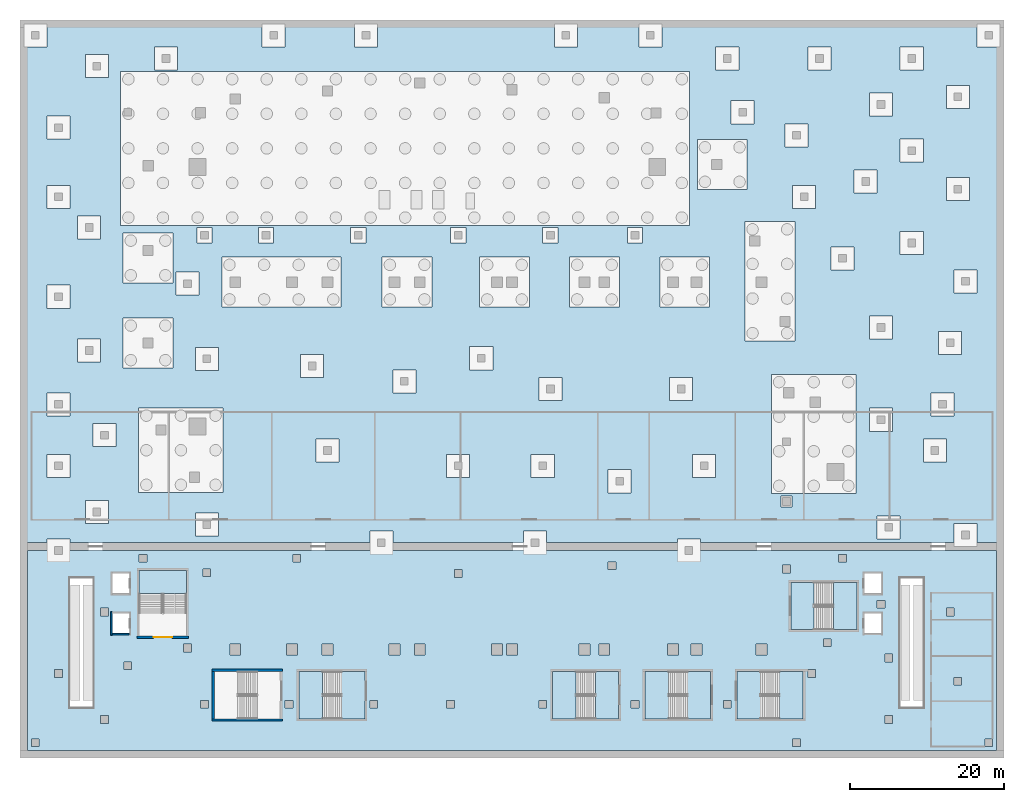
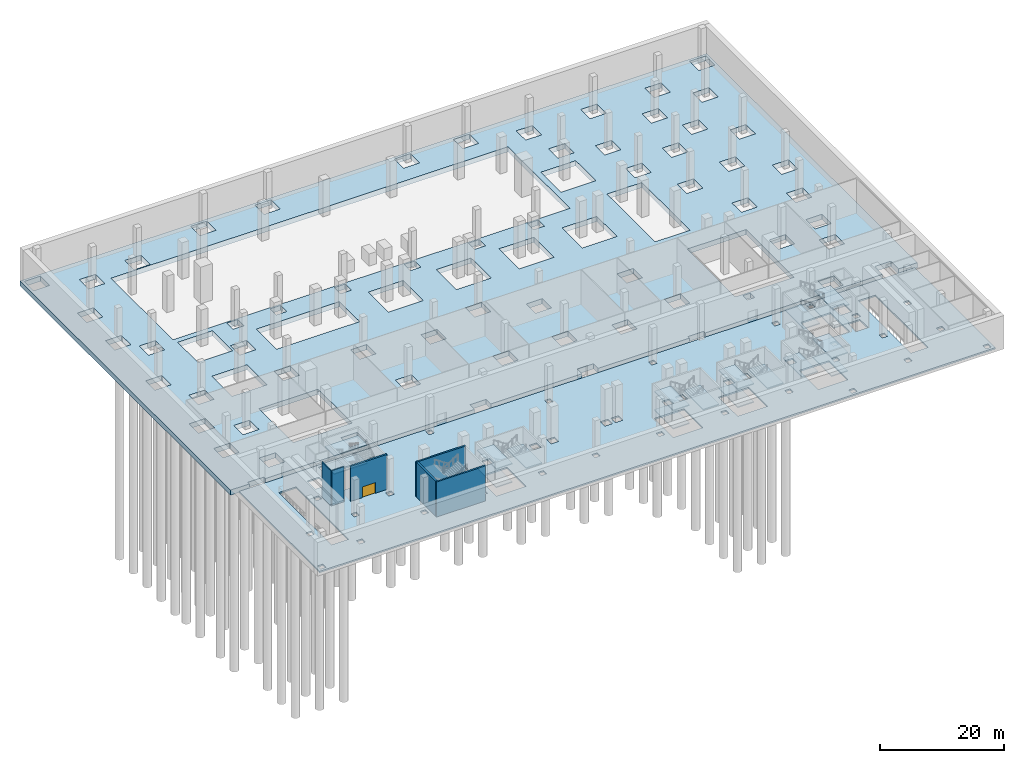
# One storey, part 3 of 15: 19 slabs, 6 walls, 1 door, 1 opening, 6 elements without a shape of their own.
"""IFC4 building model written with IfcOpenShell, lengths in metres."""

from ifc_helpers import new_model, si_unit, direction, frame, frame_2d, origin, place, context, subcontext, project, spatial, polyline, rectangle, outline, extrude, material, layer, layer_set, type_object, element, fill, aggregate, save


model = new_model("IFC4")

# Units and contexts
model_context = context("Model", 3, precision=1e-05, world=origin(), true_north=direction((0.0, 1.0)))
body_context = subcontext(model_context, "Body", "Model", "MODEL_VIEW")
ifc_project = project(units=[si_unit("LENGTHUNIT", "METRE"), si_unit("AREAUNIT", "SQUARE_METRE"), si_unit("VOLUMEUNIT", "CUBIC_METRE"), si_unit("PLANEANGLEUNIT", "RADIAN"), si_unit("MASSUNIT", "GRAM", prefix="KILO")], contexts=[model_context])

# Site, building, storey
site_placement = place(None, origin())
site = spatial("IfcSite", under=ifc_project, at=site_placement, CompositionType="ELEMENT")
building_placement = place(site_placement, origin())
building = spatial("IfcBuilding", under=site, at=building_placement, Name="Wharfspan Tower", CompositionType="ELEMENT")
storey_placement = place(building_placement, frame((0.0, 0.0, -7.199951)))
storey = spatial("IfcBuildingStorey", under=building, at=storey_placement, Name="B1", CompositionType="ELEMENT", Elevation=-7.199951)

# Slab
ifc_material_1 = material(Name="Concrete C35/45", Category="concrete")
ifc_layer_1 = layer(ifc_material_1, 1.0)
ifc_layer_set_1 = layer_set([ifc_layer_1], Name="Concrete C35/45")
slab_type_1 = type_object("IfcSlabType", Name="Basement base slab 1000", PredefinedType="BASESLAB", material=ifc_layer_set_1)
slab_1_placement = place(storey_placement, frame((0.0, 0.0, -1.0)))
element("IfcSlab", 1, at=slab_1_placement, inside=storey, type_object=slab_type_1, Name="Basement base slab", PredefinedType="BASESLAB", context=body_context, shape_type="SweptSolid", body=[
    extrude(outline(polyline([(-16.0, -8.0), (-16.0, 60.0), (112.0, 60.0), (112.0, -8.0), (108.5, -8.0), (108.5, -5.5), (105.5, -5.5), (105.5, -8.0), (72.5, -8.0), (72.5, -7.5), (69.5, -7.5), (69.5, -8.0), (52.5, -8.0), (52.5, -6.5), (49.5, -6.5), (49.5, -8.0), (32.5, -8.0), (32.5, -6.5), (29.5, -6.5), (29.5, -8.0), (-9.5, -8.0), (-9.5, -7.5), (-12.5, -7.5), (-12.5, -8.0), (-16.0, -8.0)]), holes=[polyline([(6.800049, -7.139893), (9.800049, -7.139893), (9.800049, -4.139893), (6.800049, -4.139893), (6.800049, -7.139893)]), polyline([(-7.5, -5.5), (-4.5, -5.5), (-4.5, -2.5), (-7.5, -2.5), (-7.5, -5.5)]), polyline([(-12.5, 0.5), (-9.5, 0.5), (-9.5, 3.5), (-12.5, 3.5), (-12.5, 0.5)]), polyline([(22.5, 2.5), (25.5, 2.5), (25.5, 5.5), (22.5, 5.5), (22.5, 2.5)]), polyline([(-0.564209, -1.46582), (10.435791, -1.46582), (10.435791, 9.53418), (-0.564209, 9.53418), (-0.564209, -1.46582)]), polyline([(-6.5, 4.5), (-3.5, 4.5), (-3.5, 7.5), (-6.5, 7.5), (-6.5, 4.5)]), polyline([(-12.5, 11.5), (-12.5, 8.5), (-9.5, 8.5), (-9.5, 11.5), (-12.5, 11.5)]), polyline([(20.5, 16.5), (20.5, 13.5), (23.5, 13.5), (23.5, 16.5), (20.5, 16.5)]), polyline([(6.800049, 14.419922), (9.800049, 14.419922), (9.800049, 17.419922), (6.800049, 17.419922), (6.800049, 14.419922)]), polyline([(-8.5, 15.5), (-5.5, 15.5), (-5.5, 18.5), (-8.5, 18.5), (-8.5, 15.5)]), polyline([(-2.590088, 14.75), (3.909912, 14.75), (3.909912, 21.25), (-2.590088, 21.25), (-2.590088, 14.75)]), polyline([(-12.5, 22.5), (-9.5, 22.5), (-9.5, 25.5), (-12.5, 25.5), (-12.5, 22.5)]), polyline([(4.300049, 24.199951), (7.300049, 24.199951), (7.300049, 27.199951), (4.300049, 27.199951), (4.300049, 24.199951)]), polyline([(10.25, 22.649902), (25.75, 22.649902), (25.75, 29.149902), (10.25, 29.149902), (10.25, 22.649902)]), polyline([(-2.590088, 25.800049), (3.909912, 25.800049), (3.909912, 32.300049), (-2.590088, 32.300049), (-2.590088, 25.800049)]), polyline([(7.0, 33.0), (7.0, 31.0), (9.0, 31.0), (9.0, 33.0), (7.0, 33.0)]), polyline([(15.0, 33.0), (15.0, 31.0), (17.0, 31.0), (17.0, 33.0), (15.0, 33.0)]), polyline([(-8.5, 31.5), (-5.5, 31.5), (-5.5, 34.5), (-8.5, 34.5), (-8.5, 31.5)]), polyline([(-12.5, 35.5), (-9.5, 35.5), (-9.5, 38.5), (-12.5, 38.5), (-12.5, 35.5)]), polyline([(-12.5, 44.5), (-9.5, 44.5), (-9.5, 47.5), (-12.5, 47.5), (-12.5, 44.5)]), polyline([(-7.5, 52.5), (-4.5, 52.5), (-4.5, 55.5), (-7.5, 55.5), (-7.5, 52.5)]), polyline([(1.5, 53.5), (4.5, 53.5), (4.5, 56.5), (1.5, 56.5), (1.5, 53.5)]), polyline([(-15.5, 56.5), (-12.5, 56.5), (-12.5, 59.5), (-15.5, 59.5), (-15.5, 56.5)]), polyline([(15.5, 56.5), (18.5, 56.5), (18.5, 59.5), (15.5, 59.5), (15.5, 56.5)]), polyline([(60.5, -1.5), (63.5, -1.5), (63.5, 1.5), (60.5, 1.5), (60.5, -1.5)]), polyline([(50.5, 0.5), (53.5, 0.5), (53.5, 3.5), (50.5, 3.5), (50.5, 0.5)]), polyline([(71.5, 3.5), (71.5, 0.5), (74.5, 0.5), (74.5, 3.5), (71.5, 3.5)]), polyline([(39.5, 3.5), (39.5, 0.5), (42.5, 0.5), (42.5, 3.5), (39.5, 3.5)]), polyline([(51.5, 10.5), (54.5, 10.5), (54.5, 13.5), (51.5, 13.5), (51.5, 10.5)]), polyline([(68.5, 10.5), (71.5, 10.5), (71.5, 13.5), (68.5, 13.5), (68.5, 10.5)]), polyline([(32.5, 11.5), (35.5, 11.5), (35.5, 14.5), (32.5, 14.5), (32.5, 11.5)]), polyline([(42.5, 17.5), (42.5, 14.5), (45.5, 14.5), (45.5, 17.5), (42.5, 17.5)]), polyline([(43.770996, 29.149902), (43.770996, 22.649902), (50.270996, 22.649902), (50.270996, 29.149902), (43.770996, 29.149902)]), polyline([(31.112061, 22.649902), (37.612061, 22.649902), (37.612061, 29.149902), (31.112061, 29.149902), (31.112061, 22.649902)]), polyline([(55.470947, 22.649902), (61.970947, 22.649902), (61.970947, 29.149902), (55.470947, 29.149902), (55.470947, 22.649902)]), polyline([(67.220947, 22.649902), (73.720947, 22.649902), (73.720947, 29.149902), (67.220947, 29.149902), (67.220947, 22.649902)]), polyline([(40.0, 31.0), (42.0, 31.0), (42.0, 33.0), (40.0, 33.0), (40.0, 31.0)]), polyline([(52.0, 31.0), (54.0, 31.0), (54.0, 33.0), (52.0, 33.0), (52.0, 31.0)]), polyline([(63.0, 31.0), (65.0, 31.0), (65.0, 33.0), (63.0, 33.0), (63.0, 31.0)]), polyline([(27.0, 31.0), (29.0, 31.0), (29.0, 33.0), (27.0, 33.0), (27.0, 31.0)]), polyline([(72.100098, 44.446289), (72.100098, 37.946289), (78.600098, 37.946289), (78.600098, 44.446289), (72.100098, 44.446289)]), polyline([(-2.899902, 53.300049), (-2.899902, 33.300049), (71.100098, 33.300049), (71.100098, 53.300049), (-2.899902, 53.300049)]), polyline([(74.5, 53.5), (77.5, 53.5), (77.5, 56.5), (74.5, 56.5), (74.5, 53.5)]), polyline([(64.5, 56.5), (67.5, 56.5), (67.5, 59.5), (64.5, 59.5), (64.5, 56.5)]), polyline([(53.5, 56.5), (56.5, 56.5), (56.5, 59.5), (53.5, 59.5), (53.5, 56.5)]), polyline([(27.5, 56.5), (30.5, 56.5), (30.5, 59.5), (27.5, 59.5), (27.5, 56.5)]), polyline([(95.5, -7.5), (98.5, -7.5), (98.5, -4.5), (95.5, -4.5), (95.5, -7.5)]), polyline([(83.0, -3.340088), (84.399902, -3.340088), (84.399902, -1.939941), (83.0, -1.939941), (83.0, -3.340088)]), polyline([(101.5, 5.5), (101.5, 2.5), (104.5, 2.5), (104.5, 5.5), (101.5, 5.5)]), polyline([(81.748291, 13.899902), (81.748291, -1.600098), (92.748291, -1.600098), (92.748291, 13.899902), (81.748291, 13.899902)]), polyline([(94.5, 6.5), (97.5, 6.5), (97.5, 9.5), (94.5, 9.5), (94.5, 6.5)]), polyline([(102.5, 8.5), (105.5, 8.5), (105.5, 11.5), (102.5, 11.5), (102.5, 8.5)]), polyline([(103.5, 16.5), (106.5, 16.5), (106.5, 19.5), (103.5, 19.5), (103.5, 16.5)]), polyline([(94.5, 18.5), (97.5, 18.5), (97.5, 21.5), (94.5, 21.5), (94.5, 18.5)]), polyline([(105.5, 24.5), (108.5, 24.5), (108.5, 27.5), (105.5, 27.5), (105.5, 24.5)]), polyline([(78.28833, 18.268311), (84.78833, 18.268311), (84.78833, 33.768311), (78.28833, 33.768311), (78.28833, 18.268311)]), polyline([(89.5, 27.5), (92.5, 27.5), (92.5, 30.5), (89.5, 30.5), (89.5, 27.5)]), polyline([(98.5, 32.5), (98.5, 29.5), (101.5, 29.5), (101.5, 32.5), (98.5, 32.5)]), polyline([(84.5, 38.5), (84.5, 35.5), (87.5, 35.5), (87.5, 38.5), (84.5, 38.5)]), polyline([(104.5, 36.5), (107.5, 36.5), (107.5, 39.5), (104.5, 39.5), (104.5, 36.5)]), polyline([(92.5, 37.5), (95.5, 37.5), (95.5, 40.5), (92.5, 40.5), (92.5, 37.5)]), polyline([(98.5, 41.5), (101.5, 41.5), (101.5, 44.5), (98.5, 44.5), (98.5, 41.5)]), polyline([(83.5, 46.5), (83.5, 43.5), (86.5, 43.5), (86.5, 46.5), (83.5, 46.5)]), polyline([(76.5, 49.5), (76.5, 46.5), (79.5, 46.5), (79.5, 49.5), (76.5, 49.5)]), polyline([(94.5, 47.5), (97.5, 47.5), (97.5, 50.5), (94.5, 50.5), (94.5, 47.5)]), polyline([(104.5, 48.5), (107.5, 48.5), (107.5, 51.5), (104.5, 51.5), (104.5, 48.5)]), polyline([(98.5, 53.5), (101.5, 53.5), (101.5, 56.5), (98.5, 56.5), (98.5, 53.5)]), polyline([(86.5, 56.5), (86.5, 53.5), (89.5, 53.5), (89.5, 56.5), (86.5, 56.5)]), polyline([(108.5, 59.5), (108.5, 56.5), (111.5, 56.5), (111.5, 59.5), (108.5, 59.5)])]), origin(), (0.0, 0.0, 1.0), 1.0),
])

# Stair, slabs
ifc_material_2 = material(Name="Concrete C40/50", Category="concrete")
stair_type = type_object("IfcStairType", Name="Half-turn stair 3000 wide 40 risers 180 mm", PredefinedType="HALF_TURN_STAIR", material=ifc_material_2)
stair_1_placement = place(storey_placement, origin())
stair_1 = element("IfcStair", 2, at=stair_1_placement, inside=storey, type_object=stair_type, Name="B1 stair SB2", PredefinedType="HALF_TURN_STAIR")
ifc_layer_2 = layer(ifc_material_2, 0.199951)
ifc_layer_set_2 = layer_set([ifc_layer_2], Name="Concrete C40/50")
slab_type_2 = type_object("IfcSlabType", Name="Podium stair landing 200", PredefinedType="LANDING", material=ifc_layer_set_2)
slab_2_placement = place(storey_placement, frame((0.0, 0.0, 1.599854)))
slab_2 = element("IfcSlab", 3, at=slab_2_placement, type_object=slab_type_2, Name="SB2 landing 1", PredefinedType="LANDING", context=body_context, shape_type="SweptSolid", body=[
    extrude(outline(polyline([(23.330078, -24.75), (20.300049, -24.75), (20.300049, -30.899902), (23.330078, -30.899902), (23.330078, -24.75)])), origin(), (0.0, 0.0, 1.0), 0.200195),
])
slab_3_placement = place(storey_placement, frame((0.0, 0.0, 3.399658)))
slab_3 = element("IfcSlab", 4, at=slab_3_placement, type_object=slab_type_2, Name="SB2 landing 2", PredefinedType="LANDING", context=body_context, shape_type="SweptSolid", body=[
    extrude(outline(polyline([(28.850098, -24.75), (25.850098, -24.75), (25.850098, -30.899902), (28.850098, -30.899902), (28.850098, -24.75)])), origin(), (0.0, 0.0, 1.0), 0.200195),
])
slab_4_placement = place(storey_placement, frame((0.0, 0.0, 5.199707)))
slab_4 = element("IfcSlab", 5, at=slab_4_placement, type_object=slab_type_2, Name="SB2 landing 3", PredefinedType="LANDING", context=body_context, shape_type="SweptSolid", body=[
    extrude(outline(polyline([(23.330078, -24.75), (20.300049, -24.75), (20.300049, -30.899902), (23.330078, -30.899902), (23.330078, -24.75)])), origin(), (0.0, 0.0, 1.0), 0.200195),
])
aggregate(stair_1, [slab_2, slab_3, slab_4])

stair_2_placement = place(storey_placement, origin())
stair_2 = element("IfcStair", 6, at=stair_2_placement, inside=storey, type_object=stair_type, Name="B1 stair SB3", PredefinedType="HALF_TURN_STAIR")
slab_5_placement = place(storey_placement, frame((0.0, 0.0, 1.599854)))
slab_5 = element("IfcSlab", 7, at=slab_5_placement, type_object=slab_type_2, Name="SB3 landing 1", PredefinedType="LANDING", context=body_context, shape_type="SweptSolid", body=[
    extrude(outline(polyline([(56.330078, -24.75), (53.300049, -24.75), (53.300049, -30.899902), (56.330078, -30.899902), (56.330078, -24.75)])), origin(), (0.0, 0.0, 1.0), 0.200195),
])
slab_6_placement = place(storey_placement, frame((0.0, 0.0, 3.399658)))
slab_6 = element("IfcSlab", 8, at=slab_6_placement, type_object=slab_type_2, Name="SB3 landing 2", PredefinedType="LANDING", context=body_context, shape_type="SweptSolid", body=[
    extrude(outline(polyline([(61.850098, -24.75), (58.850098, -24.75), (58.850098, -30.899902), (61.850098, -30.899902), (61.850098, -24.75)])), origin(), (0.0, 0.0, 1.0), 0.200195),
])
slab_7_placement = place(storey_placement, frame((0.0, 0.0, 5.199707)))
slab_7 = element("IfcSlab", 9, at=slab_7_placement, type_object=slab_type_2, Name="SB3 landing 3", PredefinedType="LANDING", context=body_context, shape_type="SweptSolid", body=[
    extrude(outline(polyline([(56.330078, -24.75), (53.300049, -24.75), (53.300049, -30.899902), (56.330078, -30.899902), (56.330078, -24.75)])), origin(), (0.0, 0.0, 1.0), 0.200195),
])
aggregate(stair_2, [slab_5, slab_6, slab_7])

stair_3_placement = place(storey_placement, origin())
stair_3 = element("IfcStair", 10, at=stair_3_placement, inside=storey, type_object=stair_type, Name="B1 stair SB4", PredefinedType="HALF_TURN_STAIR")
slab_8_placement = place(storey_placement, frame((0.0, 0.0, 1.599854)))
slab_8 = element("IfcSlab", 11, at=slab_8_placement, type_object=slab_type_2, Name="SB4 landing 1", PredefinedType="LANDING", context=body_context, shape_type="SweptSolid", body=[
    extrude(outline(polyline([(68.330078, -24.75), (65.300049, -24.75), (65.300049, -30.899902), (68.330078, -30.899902), (68.330078, -24.75)])), origin(), (0.0, 0.0, 1.0), 0.200195),
])
slab_9_placement = place(storey_placement, frame((0.0, 0.0, 3.399658)))
slab_9 = element("IfcSlab", 12, at=slab_9_placement, type_object=slab_type_2, Name="SB4 landing 2", PredefinedType="LANDING", context=body_context, shape_type="SweptSolid", body=[
    extrude(outline(polyline([(73.850098, -24.75), (70.850098, -24.75), (70.850098, -30.899902), (73.850098, -30.899902), (73.850098, -24.75)])), origin(), (0.0, 0.0, 1.0), 0.200195),
])
slab_10_placement = place(storey_placement, frame((0.0, 0.0, 5.199707)))
slab_10 = element("IfcSlab", 13, at=slab_10_placement, type_object=slab_type_2, Name="SB4 landing 3", PredefinedType="LANDING", context=body_context, shape_type="SweptSolid", body=[
    extrude(outline(polyline([(68.330078, -24.75), (65.300049, -24.75), (65.300049, -30.899902), (68.330078, -30.899902), (68.330078, -24.75)])), origin(), (0.0, 0.0, 1.0), 0.200195),
])
aggregate(stair_3, [slab_8, slab_9, slab_10])

stair_4_placement = place(storey_placement, origin())
stair_4 = element("IfcStair", 14, at=stair_4_placement, inside=storey, type_object=stair_type, Name="B1 stair SB5", PredefinedType="HALF_TURN_STAIR")
slab_11_placement = place(storey_placement, frame((0.0, 0.0, 1.599854)))
slab_11 = element("IfcSlab", 15, at=slab_11_placement, type_object=slab_type_2, Name="SB5 landing 1", PredefinedType="LANDING", context=body_context, shape_type="SweptSolid", body=[
    extrude(outline(polyline([(82.820068, -30.899902), (85.850098, -30.899902), (85.850098, -24.75), (82.820068, -24.75), (82.820068, -30.899902)])), origin(), (0.0, 0.0, 1.0), 0.200195),
])
slab_12_placement = place(storey_placement, frame((0.0, 0.0, 3.399658)))
slab_12 = element("IfcSlab", 16, at=slab_12_placement, type_object=slab_type_2, Name="SB5 landing 2", PredefinedType="LANDING", context=body_context, shape_type="SweptSolid", body=[
    extrude(outline(polyline([(77.300049, -30.899902), (80.300049, -30.899902), (80.300049, -24.75), (77.300049, -24.75), (77.300049, -30.899902)])), origin(), (0.0, 0.0, 1.0), 0.200195),
])
slab_13_placement = place(storey_placement, frame((0.0, 0.0, 5.199707)))
slab_13 = element("IfcSlab", 17, at=slab_13_placement, type_object=slab_type_2, Name="SB5 landing 3", PredefinedType="LANDING", context=body_context, shape_type="SweptSolid", body=[
    extrude(outline(polyline([(82.820068, -30.899902), (85.850098, -30.899902), (85.850098, -24.75), (82.820068, -24.75), (82.820068, -30.899902)])), origin(), (0.0, 0.0, 1.0), 0.200195),
])
aggregate(stair_4, [slab_11, slab_12, slab_13])

stair_5_placement = place(storey_placement, origin())
stair_5 = element("IfcStair", 18, at=stair_5_placement, inside=storey, type_object=stair_type, Name="B1 stair SB6", PredefinedType="HALF_TURN_STAIR")
slab_14_placement = place(storey_placement, frame((0.0, 0.0, 1.599854)))
slab_14 = element("IfcSlab", 19, at=slab_14_placement, type_object=slab_type_2, Name="SB6 landing 1", PredefinedType="LANDING", context=body_context, shape_type="SweptSolid", body=[
    extrude(outline(polyline([(5.649902, -14.629883), (5.649902, -11.600098), (-0.5, -11.600098), (-0.5, -14.629883), (5.649902, -14.629883)])), origin(), (0.0, 0.0, 1.0), 0.200195),
])
slab_15_placement = place(storey_placement, frame((0.0, 0.0, 5.199707)))
slab_15 = element("IfcSlab", 20, at=slab_15_placement, type_object=slab_type_2, Name="SB6 landing 3", PredefinedType="LANDING", context=body_context, shape_type="SweptSolid", body=[
    extrude(outline(polyline([(5.649902, -14.629883), (5.649902, -11.600098), (-0.5, -11.600098), (-0.5, -14.629883), (5.649902, -14.629883)])), origin(), (0.0, 0.0, 1.0), 0.200195),
])
aggregate(stair_5, [slab_14, slab_15])

stair_6_placement = place(storey_placement, origin())
stair_6 = element("IfcStair", 21, at=stair_6_placement, inside=storey, type_object=stair_type, Name="B1 stair SB7", PredefinedType="HALF_TURN_STAIR")
slab_16_placement = place(storey_placement, frame((0.0, 0.0, 1.599854)))
slab_16 = element("IfcSlab", 22, at=slab_16_placement, type_object=slab_type_2, Name="SB7 landing 1", PredefinedType="LANDING", context=body_context, shape_type="SweptSolid", body=[
    extrude(outline(polyline([(89.820068, -19.300049), (92.850098, -19.300049), (92.850098, -13.149902), (89.820068, -13.149902), (89.820068, -19.300049)])), origin(), (0.0, 0.0, 1.0), 0.200195),
])
slab_17_placement = place(storey_placement, frame((0.0, 0.0, 3.399658)))
slab_17 = element("IfcSlab", 23, at=slab_17_placement, type_object=slab_type_2, Name="SB7 landing 2", PredefinedType="LANDING", context=body_context, shape_type="SweptSolid", body=[
    extrude(outline(polyline([(84.300049, -19.300049), (87.300049, -19.300049), (87.300049, -13.149902), (84.300049, -13.149902), (84.300049, -19.300049)])), origin(), (0.0, 0.0, 1.0), 0.200195),
])
slab_18_placement = place(storey_placement, frame((0.0, 0.0, 5.199707)))
slab_18 = element("IfcSlab", 24, at=slab_18_placement, type_object=slab_type_2, Name="SB7 landing 3", PredefinedType="LANDING", context=body_context, shape_type="SweptSolid", body=[
    extrude(outline(polyline([(89.820068, -19.300049), (92.850098, -19.300049), (92.850098, -13.149902), (89.820068, -13.149902), (89.820068, -19.300049)])), origin(), (0.0, 0.0, 1.0), 0.200195),
])
aggregate(stair_6, [slab_16, slab_17, slab_18])

# Slab
ifc_layer_3 = layer(ifc_material_1, 0.300049)
ifc_layer_set_3 = layer_set([ifc_layer_3], Name="Concrete C35/45")
slab_type_3 = type_object("IfcSlabType", Name="Station concourse slab 300", PredefinedType="FLOOR", material=ifc_layer_set_3)
slab_19_placement = place(storey_placement, frame((0.0, 0.0, -0.300049)))
element("IfcSlab", 25, at=slab_19_placement, inside=storey, type_object=slab_type_3, Name="Station concourse slab", PredefinedType="FLOOR", context=body_context, shape_type="SweptSolid", body=[
    extrude(outline(polyline([(-15.0, -35.0), (-15.0, -9.0), (111.0, -9.0), (111.0, -35.0), (-15.0, -35.0)]), holes=[polyline([(-13.5, -34.5), (-13.5, -33.5), (-14.5, -33.5), (-14.5, -34.5), (-13.5, -34.5)]), polyline([(-5.5, -31.5), (-4.5, -31.5), (-4.5, -30.5), (-5.5, -30.5), (-5.5, -31.5)]), polyline([(18.5, -29.5), (19.5, -29.5), (19.5, -28.5), (18.5, -28.5), (18.5, -29.5)]), polyline([(8.5, -29.5), (8.5, -28.5), (7.5, -28.5), (7.5, -29.5), (8.5, -29.5)]), polyline([(9.300049, -24.75), (9.300049, -30.899902), (14.850098, -30.899902), (14.850098, -24.75), (9.300049, -24.75)]), polyline([(-11.5, -25.5), (-10.5, -25.5), (-10.5, -24.5), (-11.5, -24.5), (-11.5, -25.5)]), polyline([(-1.5, -24.5), (-1.5, -23.5), (-2.5, -23.5), (-2.5, -24.5), (-1.5, -24.5)]), polyline([(18.690918, -22.600098), (20.091064, -22.600098), (20.091064, -21.199951), (18.690918, -21.199951), (18.690918, -22.600098)]), polyline([(11.300049, -22.600098), (12.699951, -22.600098), (12.699951, -21.199951), (11.300049, -21.199951), (11.300049, -22.600098)]), polyline([(5.300049, -22.199951), (6.300049, -22.199951), (6.300049, -21.199951), (5.300049, -21.199951), (5.300049, -22.199951)]), polyline([(-9.600098, -12.5), (-9.600098, -29.5), (-6.399902, -29.5), (-6.399902, -12.5), (-9.600098, -12.5)]), polyline([(-4.0, -17.199951), (-4.0, -19.800049), (-1.800049, -19.800049), (-1.800049, -17.199951), (-4.0, -17.199951)]), polyline([(-5.5, -17.5), (-4.5, -17.5), (-4.5, -16.5), (-5.5, -16.5), (-5.5, -17.5)]), polyline([(-0.5, -17.149902), (5.649902, -17.149902), (5.649902, -11.600098), (-0.5, -11.600098), (-0.5, -17.149902)]), polyline([(-4.0, -12.0), (-4.0, -14.600098), (-1.800049, -14.600098), (-1.800049, -12.0), (-4.0, -12.0)]), polyline([(7.800049, -12.419922), (8.800049, -12.419922), (8.800049, -11.419922), (7.800049, -11.419922), (7.800049, -12.419922)]), polyline([(-0.5, -10.5), (0.5, -10.5), (0.5, -9.5), (-0.5, -9.5), (-0.5, -10.5)]), polyline([(19.5, -10.5), (20.5, -10.5), (20.5, -9.5), (19.5, -9.5), (19.5, -10.5)]), polyline([(29.5, -29.5), (30.5, -29.5), (30.5, -28.5), (29.5, -28.5), (29.5, -29.5)]), polyline([(39.5, -29.5), (40.5, -29.5), (40.5, -28.5), (39.5, -28.5), (39.5, -29.5)]), polyline([(64.5, -29.5), (64.5, -28.5), (63.5, -28.5), (63.5, -29.5), (64.5, -29.5)]), polyline([(51.5, -29.5), (52.5, -29.5), (52.5, -28.5), (51.5, -28.5), (51.5, -29.5)]), polyline([(20.300049, -24.75), (20.300049, -30.899902), (25.850098, -30.899902), (25.850098, -24.75), (20.300049, -24.75)]), polyline([(65.300049, -24.75), (65.300049, -30.899902), (70.850098, -30.899902), (70.850098, -24.75), (65.300049, -24.75)]), polyline([(53.300049, -24.75), (53.300049, -30.899902), (58.850098, -30.899902), (58.850098, -24.75), (53.300049, -24.75)]), polyline([(71.300049, -22.600098), (72.699951, -22.600098), (72.699951, -21.199951), (71.300049, -21.199951), (71.300049, -22.600098)]), polyline([(68.241943, -22.600098), (69.64209, -22.600098), (69.64209, -21.199951), (68.241943, -21.199951), (68.241943, -22.600098)]), polyline([(60.699951, -22.600098), (60.699951, -21.199951), (59.300049, -21.199951), (59.300049, -22.600098), (60.699951, -22.600098)]), polyline([(56.741943, -22.600098), (58.14209, -22.600098), (58.14209, -21.199951), (56.741943, -21.199951), (56.741943, -22.600098)]), polyline([(47.300049, -22.600098), (48.699951, -22.600098), (48.699951, -21.199951), (47.300049, -21.199951), (47.300049, -22.600098)]), polyline([(46.741943, -22.600098), (46.741943, -21.199951), (45.342041, -21.199951), (45.342041, -22.600098), (46.741943, -22.600098)]), polyline([(35.300049, -22.600098), (36.699951, -22.600098), (36.699951, -21.199951), (35.300049, -21.199951), (35.300049, -22.600098)]), polyline([(32.023926, -22.600098), (33.424072, -22.600098), (33.424072, -21.199951), (32.023926, -21.199951), (32.023926, -22.600098)]), polyline([(24.699951, -22.600098), (24.699951, -21.199951), (23.300049, -21.199951), (23.300049, -22.600098), (24.699951, -22.600098)]), polyline([(40.5, -12.5), (41.5, -12.5), (41.5, -11.5), (40.5, -11.5), (40.5, -12.5)]), polyline([(60.5, -11.5), (61.5, -11.5), (61.5, -10.5), (60.5, -10.5), (60.5, -11.5)]), polyline([(109.5, -34.5), (110.5, -34.5), (110.5, -33.5), (109.5, -33.5), (109.5, -34.5)]), polyline([(84.5, -34.5), (85.5, -34.5), (85.5, -33.5), (84.5, -33.5), (84.5, -34.5)]), polyline([(96.5, -31.5), (97.5, -31.5), (97.5, -30.5), (96.5, -30.5), (96.5, -31.5)]), polyline([(75.5, -29.5), (76.5, -29.5), (76.5, -28.5), (75.5, -28.5), (75.5, -29.5)]), polyline([(80.300049, -30.899902), (85.850098, -30.899902), (85.850098, -24.75), (80.300049, -24.75), (80.300049, -30.899902)]), polyline([(105.5, -26.5), (106.5, -26.5), (106.5, -25.5), (105.5, -25.5), (105.5, -26.5)]), polyline([(86.5, -25.5), (87.5, -25.5), (87.5, -24.5), (86.5, -24.5), (86.5, -25.5)]), polyline([(96.5, -23.5), (97.5, -23.5), (97.5, -22.5), (96.5, -22.5), (96.5, -23.5)]), polyline([(79.741943, -22.600098), (81.14209, -22.600098), (81.14209, -21.199951), (79.741943, -21.199951), (79.741943, -22.600098)]), polyline([(98.399902, -12.5), (98.399902, -29.5), (101.600098, -29.5), (101.600098, -12.5), (98.399902, -12.5)]), polyline([(88.5, -21.5), (89.5, -21.5), (89.5, -20.5), (88.5, -20.5), (88.5, -21.5)]), polyline([(93.800049, -19.800049), (96.0, -19.800049), (96.0, -17.199951), (93.800049, -17.199951), (93.800049, -19.800049)]), polyline([(104.5, -17.5), (105.5, -17.5), (105.5, -16.5), (104.5, -16.5), (104.5, -17.5)]), polyline([(87.300049, -13.149902), (87.300049, -19.300049), (92.850098, -19.300049), (92.850098, -13.149902), (87.300049, -13.149902)]), polyline([(95.5, -16.5), (96.5, -16.5), (96.5, -15.5), (95.5, -15.5), (95.5, -16.5)]), polyline([(93.800049, -12.0), (93.800049, -14.600098), (96.0, -14.600098), (96.0, -12.0), (93.800049, -12.0)]), polyline([(83.199951, -11.919922), (84.199951, -11.919922), (84.199951, -10.919922), (83.199951, -10.919922), (83.199951, -11.919922)]), polyline([(90.5, -10.5), (91.5, -10.5), (91.5, -9.5), (90.5, -9.5), (90.5, -10.5)])]), origin(), (0.0, 0.0, 1.0), 0.300049),
])

# Walls
ifc_material_3 = material(Name="Concrete C30/37", Category="concrete")
ifc_layer_4 = layer(ifc_material_3, 0.199951)
ifc_layer_set_4 = layer_set([ifc_layer_4], Name="Concrete C30/37")
wall_type_1 = type_object("IfcWallType", Name="Podium shaft wall 200", PredefinedType="PARTITIONING", material=ifc_layer_set_4)
wall_1_placement = place(storey_placement, frame((-4.100098, -20.0, 0.0), z_axis=(0.0, 0.0, 1.0), x_axis=(0.0, 1.0, 0.0)))
element("IfcWall", 26, at=wall_1_placement, inside=storey, type_object=wall_type_1, Name="pl:LP1:B1:W", PredefinedType="PARTITIONING", context=body_context, shape_type="SweptSolid", body=[
    extrude(rectangle(XDim=3.0, YDim=0.199951, at=frame_2d((1.5, 0.0))), origin(), (0.0, 0.0, 1.0), 6.899902),
])
wall_2_placement = place(storey_placement, frame((-4.0, -19.899902, 0.0), z_axis=(0.0, 0.0, 1.0), x_axis=(1.0, 0.0, 0.0)))
element("IfcWall", 27, at=wall_2_placement, inside=storey, type_object=wall_type_1, Name="pl:LP1:B1:S", PredefinedType="PARTITIONING", context=body_context, shape_type="SweptSolid", body=[
    extrude(rectangle(XDim=2.199951, YDim=0.199951, at=frame_2d((1.100098, 0.0))), origin(), (0.0, 0.0, 1.0), 6.899902),
])
ifc_layer_5 = layer(ifc_material_2, 0.300049)
ifc_layer_set_5 = layer_set([ifc_layer_5], Name="Concrete C40/50")
wall_type_2 = type_object("IfcWallType", Name="Podium stair core wall 300", PredefinedType="SHEAR", material=ifc_layer_set_5)
for number, where, z_axis, x_axis, name in (
    (28, (9.0, -31.050049, 0.0), (0.0, 0.0, 1.0), (1.0, 0.0, 0.0), "iw:B1:SB1S"),
    (29, (9.0, -24.600098, 0.0), (0.0, 0.0, 1.0), (1.0, 0.0, 0.0), "iw:B1:SB1N"),
):
    element("IfcWall", number, at=place(storey_placement, frame(where, z_axis=z_axis, x_axis=x_axis)), inside=storey, type_object=wall_type_2, Name=name, PredefinedType="SHEAR", context=body_context, shape_type="SweptSolid", body=[
        extrude(rectangle(XDim=9.149902, YDim=0.300049, at=frame_2d((4.574951, 0.0))), origin(), (0.0, 0.0, 1.0), 6.899902),
    ])
wall_3_placement = place(storey_placement, frame((9.149902, -30.899902, 0.0), z_axis=(0.0, 0.0, 1.0), x_axis=(0.0, 1.0, 0.0)))
element("IfcWall", 30, at=wall_3_placement, inside=storey, type_object=wall_type_2, Name="iw:B1:SB1W", PredefinedType="SHEAR", context=body_context, shape_type="SweptSolid", body=[
    extrude(rectangle(XDim=6.149902, YDim=0.300049, at=frame_2d((3.074951, 0.0))), origin(), (0.0, 0.0, 1.0), 6.899902),
])

# Wall, opening, door
wall_4_placement = place(storey_placement, frame((-0.800049, -20.300049, 0.0), z_axis=(0.0, 0.0, 1.0), x_axis=(1.0, 0.0, 0.0)))
wall_4 = element("IfcWall", 31, at=wall_4_placement, inside=storey, type_object=wall_type_2, Name="iw:B1:SB6S", PredefinedType="SHEAR", context=body_context, shape_type="SweptSolid", body=[
    extrude(rectangle(XDim=6.75, YDim=0.300049, at=frame_2d((3.375, 0.0))), origin(), (0.0, 0.0, 1.0), 6.899902),
])
opening_placement = place(wall_4_placement, frame((2.175049, 0.0, 0.0)))
opening = element("IfcOpeningElement", 32, at=opening_placement, cuts=wall_4, Name="Opening SDSB6.B1", PredefinedType="OPENING", context=body_context, shape_type="SweptSolid", body=[
    extrude(rectangle(XDim=2.399902, YDim=2.100098, at=frame_2d((1.199951, 1.050049))), frame((0.0, 0.159912, 0.0), z_axis=(0.0, -1.0, 0.0), x_axis=(1.0, 0.0, 0.0)), (0.0, 0.0, 1.0), 0.320068),
])
ifc_material_4 = material(Name="Steel door leaf", Category="steel")
door_type = type_object("IfcDoorType", Name="Podium stair door 2400x2100", OperationType="DOUBLE_DOOR_SINGLE_SWING", PredefinedType="DOOR", material=ifc_material_4)
door_placement = place(opening_placement, origin())
door = element("IfcDoor", 33, at=door_placement, inside=storey, type_object=door_type, Name="id:B1:SB6", OperationType="DOUBLE_DOOR_SINGLE_SWING", OverallHeight=2.100098, OverallWidth=2.399902, PredefinedType="DOOR", context=body_context, shape_type="SweptSolid", body=[
    extrude(rectangle(XDim=2.399902, YDim=2.100098, at=frame_2d((1.199951, 1.050049))), frame((0.0, 0.024902, 0.0), z_axis=(0.0, -1.0, 0.0), x_axis=(1.0, 0.0, 0.0)), (0.0, 0.0, 1.0), 0.050049),
])
fill(opening, door)

save(model, "model.ifc")
